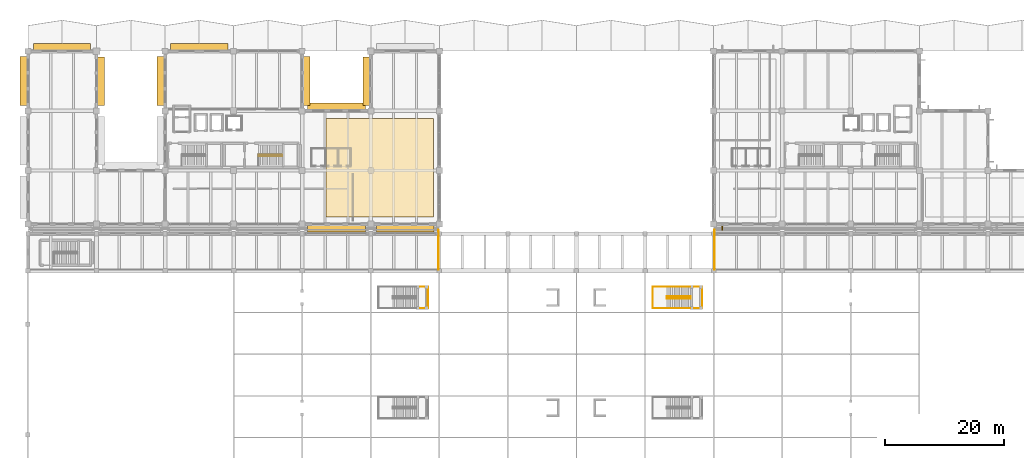
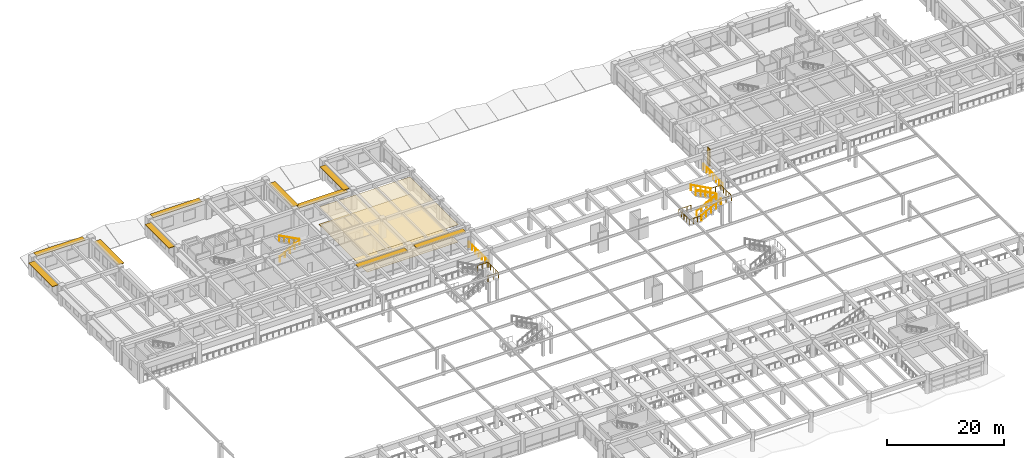
# One storey, part 94 of 98: 11 railings, 11 shading devices, 2 coverings.
"""IFC4 building model written with IfcOpenShell, lengths in metres."""

from ifc_helpers import new_model, si_unit, direction, frame, origin, origin_2d, place, context, subcontext, project, spatial, polyline, rectangle, circle, outline, extrude, material, layer, layer_set, type_object, element, save


model = new_model("IFC4")

# Units and contexts
model_context = context("Model", 3, precision=1e-05, world=origin(), true_north=direction((0.0, 1.0)))
body_context = subcontext(model_context, "Body", "Model", "MODEL_VIEW")
ifc_project = project(units=[si_unit("LENGTHUNIT", "METRE"), si_unit("AREAUNIT", "SQUARE_METRE"), si_unit("VOLUMEUNIT", "CUBIC_METRE"), si_unit("PLANEANGLEUNIT", "RADIAN"), si_unit("MASSUNIT", "GRAM", prefix="KILO")], contexts=[model_context])

# Site, building, storey
site_placement = place(None, origin())
site = spatial("IfcSite", under=ifc_project, at=site_placement, CompositionType="ELEMENT")
building_placement = place(site_placement, origin())
building = spatial("IfcBuilding", under=site, at=building_placement, Name="Ologun Quay Terminus", CompositionType="ELEMENT")
storey_placement = place(building_placement, frame((0.0, 0.0, 4.199951171875)))
storey = spatial("IfcBuildingStorey", under=building, at=storey_placement, Name="L01", CompositionType="ELEMENT", Elevation=4.199951171875)

# Railings
ifc_material_1 = material(Name="Glass", Category="glass")
railing_type_1 = type_object("IfcRailingType", Name="Concourse & Atrium Glazed Balustrade 1150", PredefinedType="BALUSTRADE", material=ifc_material_1)
for number, where, name in (
    (1, (68.85009765625, 78.14990234375, 0.0), "BL-GL Courtyard Gallery End Balustrade W L01"),
    (2, (115.14990234375, 78.14990234375, 0.0), "BL-GL Courtyard Gallery End Balustrade E L01"),
):
    element("IfcRailing", number, at=place(storey_placement, frame(where)), inside=storey, type_object=railing_type_1, Name=name, PredefinedType="BALUSTRADE", context=body_context, shape_type="SweptSolid", body=[
        extrude(circle(Radius=0.02392578125, at=origin_2d()), frame((0.0, 0.0, 1.1259765625), z_axis=(0.0, 1.0, 0.0), x_axis=(-1.0, 0.0, 0.0)), (0.0, 0.0, 1.0), 6.650146484375),
        extrude(circle(Radius=0.02099609375, at=origin_2d()), origin(), (0.0, 0.0, 1.0), 1.101806640625),
        extrude(circle(Radius=0.02099609375, at=origin_2d()), frame((0.0, 1.1083984375, 0.0)), (0.0, 0.0, 1.0), 1.101806640625),
        extrude(circle(Radius=0.02099609375, at=origin_2d()), frame((0.0, 2.216796875, 0.0)), (0.0, 0.0, 1.0), 1.101806640625),
        extrude(circle(Radius=0.02099609375, at=origin_2d()), frame((0.0, 3.3251953125, 0.0)), (0.0, 0.0, 1.0), 1.101806640625),
        extrude(circle(Radius=0.02099609375, at=origin_2d()), frame((0.0, 4.433349609375, 0.0)), (0.0, 0.0, 1.0), 1.101806640625),
        extrude(circle(Radius=0.02099609375, at=origin_2d()), frame((0.0, 5.541748046875, 0.0)), (0.0, 0.0, 1.0), 1.101806640625),
        extrude(circle(Radius=0.02099609375, at=origin_2d()), frame((0.0, 6.650146484375, 0.0)), (0.0, 0.0, 1.0), 1.101806640625),
    ])

# Shading devices
ifc_material_2 = material(Name="Aluminium 6063-T6", Category="aluminium")
ifc_layer_1 = layer(ifc_material_2, 0.10009765625)
ifc_layer_set_1 = layer_set([ifc_layer_1], Name="Aluminium 6063-T6")
shading_device_type_1 = type_object("IfcShadingDeviceType", Name="Deep Waterfront Brise-Soleil Blade 1200", PredefinedType="JALOUSIE", material=ifc_layer_set_1)
for number, where, z_axis, x_axis, name in (
    (3, (51.75, 85.070068359375, 3.530029296875), (0.0, 0.0, 1.0), (1.0, 0.0, 0.0), "SD-02 Sun-Hood WEW-WW-O-L01-5"),
    (4, (63.25, 85.070068359375, 3.530029296875), (0.0, 0.0, 1.0), (1.0, 0.0, 0.0), "SD-02 Sun-Hood WEW-WW-O-L01-6"),
):
    element("IfcShadingDevice", number, at=place(storey_placement, frame(where, z_axis=z_axis, x_axis=x_axis)), inside=storey, type_object=shading_device_type_1, Name=name, PredefinedType="JALOUSIE", context=body_context, shape_type="SweptSolid", body=[
        extrude(rectangle(XDim=9.659912109375, YDim=1.199951171875, at=origin_2d()), origin(), (0.0, 0.0, 1.0), 0.10009765625),
    ])
shading_device_1_placement = place(storey_placement, frame((56.77001953125, 109.77490234375, 3.530029296875), z_axis=(0.0, 0.0, 1.0), x_axis=(1.0, 0.0, 0.0)))
element("IfcShadingDevice", 5, at=shading_device_1_placement, inside=storey, type_object=shading_device_type_1, Name="SD-02 Sun-Hood WEW-WW-O-L01-11", PredefinedType="JALOUSIE", context=body_context, shape_type="SweptSolid", body=[
    extrude(rectangle(XDim=1.199951171875, YDim=8.110107421875, at=origin_2d()), origin(), (0.0, 0.0, 1.0), 0.10009765625),
])
shading_device_2_placement = place(storey_placement, frame((51.75, 105.530029296875, 3.530029296875), z_axis=(0.0, 0.0, 1.0), x_axis=(1.0, 0.0, 0.0)))
element("IfcShadingDevice", 6, at=shading_device_2_placement, inside=storey, type_object=shading_device_type_1, Name="SD-02 Sun-Hood WEW-WW-O-L01-12", PredefinedType="JALOUSIE", context=body_context, shape_type="SweptSolid", body=[
    extrude(rectangle(XDim=9.659912109375, YDim=1.199951171875, at=origin_2d()), origin(), (0.0, 0.0, 1.0), 0.10009765625),
])
shading_device_3_placement = place(storey_placement, frame((46.72998046875, 109.800048828125, 3.530029296875), z_axis=(0.0, 0.0, 1.0), x_axis=(1.0, 0.0, 0.0)))
element("IfcShadingDevice", 7, at=shading_device_3_placement, inside=storey, type_object=shading_device_type_1, Name="SD-02 Sun-Hood WEW-WW-O-L01-13", PredefinedType="JALOUSIE", context=body_context, shape_type="SweptSolid", body=[
    extrude(rectangle(XDim=1.199951171875, YDim=8.159912109375, at=origin_2d()), origin(), (0.0, 0.0, 1.0), 0.10009765625),
])
shading_device_4_placement = place(storey_placement, frame((28.75, 115.530029296875, 3.530029296875), z_axis=(0.0, 0.0, 1.0), x_axis=(1.0, 0.0, 0.0)))
element("IfcShadingDevice", 8, at=shading_device_4_placement, inside=storey, type_object=shading_device_type_1, Name="SD-02 Sun-Hood WEW-WW-N-L01-14", PredefinedType="JALOUSIE", context=body_context, shape_type="SweptSolid", body=[
    extrude(rectangle(XDim=9.659912109375, YDim=1.199951171875, at=origin_2d()), origin(), (0.0, 0.0, 1.0), 0.10009765625),
])
shading_device_5_placement = place(storey_placement, frame((22.27001953125, 109.800048828125, 3.530029296875), z_axis=(0.0, 0.0, 1.0), x_axis=(1.0, 0.0, 0.0)))
element("IfcShadingDevice", 9, at=shading_device_5_placement, inside=storey, type_object=shading_device_type_1, Name="SD-02 Sun-Hood WEW-WW-O-L01-17", PredefinedType="JALOUSIE", context=body_context, shape_type="SweptSolid", body=[
    extrude(rectangle(XDim=1.199951171875, YDim=8.159912109375, at=origin_2d()), origin(), (0.0, 0.0, 1.0), 0.10009765625),
])
shading_device_6_placement = place(storey_placement, frame((12.22998046875, 109.77490234375, 3.530029296875), z_axis=(0.0, 0.0, 1.0), x_axis=(1.0, 0.0, 0.0)))
element("IfcShadingDevice", 10, at=shading_device_6_placement, inside=storey, type_object=shading_device_type_1, Name="SD-02 Sun-Hood WEW-WW-O-L01-20", PredefinedType="JALOUSIE", context=body_context, shape_type="SweptSolid", body=[
    extrude(rectangle(XDim=1.199951171875, YDim=8.110107421875, at=origin_2d()), origin(), (0.0, 0.0, 1.0), 0.10009765625),
])
shading_device_7_placement = place(storey_placement, frame((5.72509765625, 115.530029296875, 3.530029296875), z_axis=(0.0, 0.0, 1.0), x_axis=(1.0, 0.0, 0.0)))
element("IfcShadingDevice", 11, at=shading_device_7_placement, inside=storey, type_object=shading_device_type_1, Name="SD-02 Sun-Hood WEW-WW-N-L01-21", PredefinedType="JALOUSIE", context=body_context, shape_type="SweptSolid", body=[
    extrude(rectangle(XDim=9.610107421875, YDim=1.199951171875, at=origin_2d()), origin(), (0.0, 0.0, 1.0), 0.10009765625),
])
shading_device_8_placement = place(storey_placement, frame((-0.72998046875, 109.800048828125, 3.530029296875), z_axis=(0.0, 0.0, 1.0), x_axis=(1.0, 0.0, 0.0)))
element("IfcShadingDevice", 12, at=shading_device_8_placement, inside=storey, type_object=shading_device_type_1, Name="SD-02 Sun-Hood WEW-WW-O-L01-24", PredefinedType="JALOUSIE", context=body_context, shape_type="SweptSolid", body=[
    extrude(rectangle(XDim=1.199951171875, YDim=8.159912109375, at=origin_2d()), origin(), (0.0, 0.0, 1.0), 0.10009765625),
])
ifc_material_3 = material(Name="Concrete C40/50", Category="concrete")
ifc_layer_2 = layer(ifc_material_3, 0.159912109375)
ifc_layer_set_2 = layer_set([ifc_layer_2], Name="Concrete C40/50")
shading_device_type_2 = type_object("IfcShadingDeviceType", Name="Operations Angled Precast Solar Fin 850x160", PredefinedType="USERDEFINED", material=ifc_layer_set_2)
shading_device_9_placement = place(storey_placement, frame((116.469970703125, 85.2451171875, 0.150146484375), z_axis=(0.0, 0.0, 1.0), x_axis=(1.0, 0.0, 0.0)))
element("IfcShadingDevice", 13, at=shading_device_9_placement, inside=storey, type_object=shading_device_type_2, Name="SD-05 Vertical Solar Fin WEW-EW-L01-1-1", ObjectType="SOLAR FIN", PredefinedType="USERDEFINED", context=body_context, shape_type="SweptSolid", body=[
    extrude(rectangle(XDim=0.159912109375, YDim=0.85009765625, at=origin_2d()), origin(), (0.0, 0.0, 1.0), 3.6298828125),
])

# Coverings
ifc_material_4 = material(Name="Aluminium 6063-T6", Category="aluminium")
ifc_layer_3 = layer(ifc_material_4, 0.034912109375)
ifc_layer_set_3 = layer_set([ifc_layer_3], Name="Aluminium 6063-T6")
covering_type_1 = type_object("IfcCoveringType", Name="Perforated Aluminium Acoustic Baffle Ceiling 35", PredefinedType="CEILING", material=ifc_layer_set_3)
covering_1_placement = place(storey_placement, frame((0.0, 0.0, 3.60009765625)))
element("IfcCovering", 14, at=covering_1_placement, inside=storey, type_object=covering_type_1, Name="CV-CL1 Acoustic Ceiling 3", PredefinedType="CEILING", context=body_context, shape_type="SweptSolid", body=[
    extrude(outline(polyline([(50.0, 87.0), (68.0, 87.0), (68.0, 103.5), (50.0, 103.5), (50.0, 87.0)])), origin(), (0.0, 0.0, 1.0), 0.034912109375),
])
ifc_material_5 = material(Name="Porcelain Tile")
ifc_layer_4 = layer(ifc_material_5, 0.02197265625)
ifc_layer_set_4 = layer_set([ifc_layer_4], Name="Porcelain Tile")
covering_type_2 = type_object("IfcCoveringType", Name="Porcelain Tile Pavilion & Sanitary Flooring 22", PredefinedType="FLOORING", material=ifc_layer_set_4)
covering_2_placement = place(storey_placement, origin())
element("IfcCovering", 15, at=covering_2_placement, inside=storey, type_object=covering_type_2, Name="CV-FL2 Interior Flooring 4", PredefinedType="FLOORING", context=body_context, shape_type="SweptSolid", body=[
    extrude(outline(polyline([(50.0, 87.0), (68.0, 87.0), (68.0, 103.5), (50.0, 103.5), (50.0, 87.0)])), origin(), (0.0, 0.0, 1.0), 0.02197265625),
])

# Railings
ifc_material_6 = material(Name="Steel S355", Category="steel")
railing_type_2 = type_object("IfcRailingType", Name="Stair & Landing Steel Guardrail 1100", PredefinedType="GUARDRAIL", material=ifc_material_6)
railing_1_placement = place(storey_placement, frame((38.699951171875, 97.25, 0.0)))
element("IfcRailing", 16, at=railing_1_placement, inside=storey, type_object=railing_type_2, Name="GR-ST Stair Inner Well Guard ST-W2 L01", PredefinedType="GUARDRAIL", context=body_context, shape_type="SweptSolid", body=[
    extrude(circle(Radius=0.02392578125, at=origin_2d()), frame((0.0, 0.0, 1.076171875), z_axis=(0.881967403671, 0.0, 0.471310406062), x_axis=(0.0, 1.0, 0.0)), (0.0, 0.0, 1.0), 4.455810546875),
    extrude(circle(Radius=0.02392578125, at=origin_2d()), frame((3.929931640625, 0.0, 3.17626953125), z_axis=(0.0, 1.0, 0.0), x_axis=(-1.0, 0.0, 0.0)), (0.0, 0.0, 1.0), 0.199951171875),
    extrude(circle(Radius=0.02392578125, at=origin_2d()), frame((3.929931640625, 0.199951171875, 3.17626953125), z_axis=(-0.881990178689, 0.0, 0.471267784488), x_axis=(0.0, -1.0, 0.0)), (0.0, 0.0, 1.0), 4.455810546875),
    extrude(circle(Radius=0.02099609375, at=origin_2d()), origin(), (0.0, 0.0, 1.0), 1.052001953125),
    extrude(circle(Radius=0.02099609375, at=origin_2d()), frame((0.982421875, 0.0, 0.52490234375)), (0.0, 0.0, 1.0), 1.052001953125),
    extrude(circle(Radius=0.02099609375, at=origin_2d()), frame((1.96484375, 0.0, 1.050048828125)), (0.0, 0.0, 1.0), 1.052001953125),
    extrude(circle(Radius=0.02099609375, at=origin_2d()), frame((2.947509765625, 0.0, 1.5751953125)), (0.0, 0.0, 1.0), 1.052001953125),
    extrude(circle(Radius=0.02099609375, at=origin_2d()), frame((3.929931640625, 0.0, 2.10009765625)), (0.0, 0.0, 1.0), 1.052001953125),
    extrude(circle(Radius=0.02099609375, at=origin_2d()), frame((3.929931640625, 0.199951171875, 2.10009765625)), (0.0, 0.0, 1.0), 1.052001953125),
    extrude(circle(Radius=0.02099609375, at=origin_2d()), frame((2.947509765625, 0.199951171875, 2.625)), (0.0, 0.0, 1.0), 1.052001953125),
    extrude(circle(Radius=0.02099609375, at=origin_2d()), frame((1.96484375, 0.199951171875, 3.14990234375)), (0.0, 0.0, 1.0), 1.052001953125),
    extrude(circle(Radius=0.02099609375, at=origin_2d()), frame((0.982421875, 0.199951171875, 3.675048828125)), (0.0, 0.0, 1.0), 1.052001953125),
    extrude(circle(Radius=0.02099609375, at=origin_2d()), frame((0.0, 0.199951171875, 4.199951171875)), (0.0, 0.0, 1.0), 1.052001953125),
])
railing_2_placement = place(storey_placement, frame((107.199951171875, 73.35009765625, 0.0)))
element("IfcRailing", 17, at=railing_2_placement, inside=storey, type_object=railing_type_2, Name="GR-ST Stair Inner Well Guard ST-P4U L01", PredefinedType="GUARDRAIL", context=body_context, shape_type="SweptSolid", body=[
    extrude(circle(Radius=0.02392578125, at=origin_2d()), frame((0.0, 0.0, 1.076171875), z_axis=(0.881967403671, 0.0, 0.471310406062), x_axis=(0.0, 1.0, 0.0)), (0.0, 0.0, 1.0), 4.455810546875),
    extrude(circle(Radius=0.02392578125, at=origin_2d()), frame((3.929931640625, 0.0, 3.17626953125), z_axis=(0.0, 1.0, 0.0), x_axis=(-1.0, 0.0, 0.0)), (0.0, 0.0, 1.0), 0.2998046875),
    extrude(circle(Radius=0.02392578125, at=origin_2d()), frame((3.929931640625, 0.2998046875, 3.17626953125), z_axis=(-0.881990178689, 0.0, 0.471267784488), x_axis=(0.0, -1.0, 0.0)), (0.0, 0.0, 1.0), 4.455810546875),
    extrude(circle(Radius=0.02099609375, at=origin_2d()), origin(), (0.0, 0.0, 1.0), 1.052001953125),
    extrude(circle(Radius=0.02099609375, at=origin_2d()), frame((0.982421875, 0.0, 0.52490234375)), (0.0, 0.0, 1.0), 1.052001953125),
    extrude(circle(Radius=0.02099609375, at=origin_2d()), frame((1.96484375, 0.0, 1.050048828125)), (0.0, 0.0, 1.0), 1.052001953125),
    extrude(circle(Radius=0.02099609375, at=origin_2d()), frame((2.947509765625, 0.0, 1.5751953125)), (0.0, 0.0, 1.0), 1.052001953125),
    extrude(circle(Radius=0.02099609375, at=origin_2d()), frame((3.929931640625, 0.0, 2.10009765625)), (0.0, 0.0, 1.0), 1.052001953125),
    extrude(circle(Radius=0.02099609375, at=origin_2d()), frame((3.929931640625, 0.2998046875, 2.10009765625)), (0.0, 0.0, 1.0), 1.052001953125),
    extrude(circle(Radius=0.02099609375, at=origin_2d()), frame((2.947509765625, 0.2998046875, 2.625)), (0.0, 0.0, 1.0), 1.052001953125),
    extrude(circle(Radius=0.02099609375, at=origin_2d()), frame((1.96484375, 0.2998046875, 3.14990234375)), (0.0, 0.0, 1.0), 1.052001953125),
    extrude(circle(Radius=0.02099609375, at=origin_2d()), frame((0.982421875, 0.2998046875, 3.675048828125)), (0.0, 0.0, 1.0), 1.052001953125),
    extrude(circle(Radius=0.02099609375, at=origin_2d()), frame((0.0, 0.2998046875, 4.199951171875)), (0.0, 0.0, 1.0), 1.052001953125),
])
railing_3_placement = place(storey_placement, frame((107.219970703125, 71.699951171875, 0.0)))
element("IfcRailing", 18, at=railing_3_placement, inside=storey, type_object=railing_type_2, Name="GR-ST Platform Transfer Bridge Guard ST-P4 L01", PredefinedType="GUARDRAIL", context=body_context, shape_type="SweptSolid", body=[
    extrude(circle(Radius=0.02392578125, at=origin_2d()), frame((0.0, 0.0, 1.076171875), z_axis=(-1.0, 0.0, 0.0), x_axis=(0.0, -1.0, 0.0)), (0.0, 0.0, 1.0), 2.419921875),
    extrude(circle(Radius=0.02392578125, at=origin_2d()), frame((-2.419921875, 0.0, 1.076171875), z_axis=(0.0, 1.0, 0.0), x_axis=(-1.0, 0.0, 0.0)), (0.0, 0.0, 1.0), 3.60009765625),
    extrude(circle(Radius=0.02392578125, at=origin_2d()), frame((-2.419921875, 3.60009765625, 1.076171875), z_axis=(1.0, 0.0, 0.0), x_axis=(0.0, 1.0, 0.0)), (0.0, 0.0, 1.0), 2.419921875),
    extrude(circle(Radius=0.02099609375, at=origin_2d()), origin(), (0.0, 0.0, 1.0), 1.052001953125),
    extrude(circle(Radius=0.02099609375, at=origin_2d()), frame((-0.806640625, 0.0, 0.0)), (0.0, 0.0, 1.0), 1.052001953125),
    extrude(circle(Radius=0.02099609375, at=origin_2d()), frame((-1.61328125, 0.0, 0.0)), (0.0, 0.0, 1.0), 1.052001953125),
    extrude(circle(Radius=0.02099609375, at=origin_2d()), frame((-2.419921875, 0.0, 0.0)), (0.0, 0.0, 1.0), 1.052001953125),
    extrude(circle(Radius=0.02099609375, at=origin_2d()), frame((-2.419921875, 0.89990234375, 0.0)), (0.0, 0.0, 1.0), 1.052001953125),
    extrude(circle(Radius=0.02099609375, at=origin_2d()), frame((-2.419921875, 1.800048828125, 0.0)), (0.0, 0.0, 1.0), 1.052001953125),
    extrude(circle(Radius=0.02099609375, at=origin_2d()), frame((-2.419921875, 2.7001953125, 0.0)), (0.0, 0.0, 1.0), 1.052001953125),
    extrude(circle(Radius=0.02099609375, at=origin_2d()), frame((-2.419921875, 3.60009765625, 0.0)), (0.0, 0.0, 1.0), 1.052001953125),
    extrude(circle(Radius=0.02099609375, at=origin_2d()), frame((-1.61328125, 3.60009765625, 0.0)), (0.0, 0.0, 1.0), 1.052001953125),
    extrude(circle(Radius=0.02099609375, at=origin_2d()), frame((-0.806640625, 3.60009765625, 0.0)), (0.0, 0.0, 1.0), 1.052001953125),
    extrude(circle(Radius=0.02099609375, at=origin_2d()), frame((0.0, 3.60009765625, 0.0)), (0.0, 0.0, 1.0), 1.052001953125),
])
ifc_material_7 = material(Name="Steel S355", Category="steel")
railing_type_3 = type_object("IfcRailingType", Name="Stair Stainless Tubular Handrail 920", PredefinedType="HANDRAIL", material=ifc_material_7)
railing_4_placement = place(storey_placement, frame((107.199951171875, 73.340087890625, 0.150146484375)))
element("IfcRailing", 19, at=railing_4_placement, inside=storey, type_object=railing_type_3, Name="HR-ST Handrail ST-P4U-F1 L01", PredefinedType="HANDRAIL", context=body_context, shape_type="SweptSolid", body=[
    extrude(circle(Radius=0.02392578125, at=origin_2d()), frame((0.0, 0.0, 0.89599609375), z_axis=(0.894438388696, 0.0, 0.447191199406), x_axis=(0.0, 1.0, 0.0)), (0.0, 0.0, 1.0), 4.3603515625),
    extrude(circle(Radius=0.02099609375, at=origin_2d()), origin(), (0.0, 0.0, 1.0), 0.871826171875),
    extrude(circle(Radius=0.02099609375, at=origin_2d()), frame((0.97509765625, 0.0, 0.487548828125)), (0.0, 0.0, 1.0), 0.871826171875),
    extrude(circle(Radius=0.02099609375, at=origin_2d()), frame((1.9501953125, 0.0, 0.97509765625)), (0.0, 0.0, 1.0), 0.871826171875),
    extrude(circle(Radius=0.02099609375, at=origin_2d()), frame((2.925048828125, 0.0, 1.46240234375)), (0.0, 0.0, 1.0), 0.871826171875),
    extrude(circle(Radius=0.02099609375, at=origin_2d()), frame((3.900146484375, 0.0, 1.949951171875)), (0.0, 0.0, 1.0), 0.871826171875),
])
railing_5_placement = place(storey_placement, frame((111.10009765625, 73.659912109375, 2.25)))
element("IfcRailing", 20, at=railing_5_placement, inside=storey, type_object=railing_type_3, Name="HR-ST Handrail ST-P4U-F2 L01", PredefinedType="HANDRAIL", context=body_context, shape_type="SweptSolid", body=[
    extrude(circle(Radius=0.02392578125, at=origin_2d()), frame((0.0, 0.0, 0.89599609375), z_axis=(-0.894438388696, 0.0, 0.447191199406), x_axis=(0.0, -1.0, 0.0)), (0.0, 0.0, 1.0), 4.3603515625),
    extrude(circle(Radius=0.02099609375, at=origin_2d()), origin(), (0.0, 0.0, 1.0), 0.871826171875),
    extrude(circle(Radius=0.02099609375, at=origin_2d()), frame((-0.97509765625, 0.0, 0.487548828125)), (0.0, 0.0, 1.0), 0.871826171875),
    extrude(circle(Radius=0.02099609375, at=origin_2d()), frame((-1.9501953125, 0.0, 0.97509765625)), (0.0, 0.0, 1.0), 0.871826171875),
    extrude(circle(Radius=0.02099609375, at=origin_2d()), frame((-2.925048828125, 0.0, 1.46240234375)), (0.0, 0.0, 1.0), 0.871826171875),
    extrude(circle(Radius=0.02099609375, at=origin_2d()), frame((-3.900146484375, 0.0, 1.949951171875)), (0.0, 0.0, 1.0), 0.871826171875),
])
ifc_material_8 = material(Name="Steel S355", Category="steel")
railing_type_4 = type_object("IfcRailingType", Name="Terrace & Quay Perimeter Guardrail 1150", PredefinedType="GUARDRAIL", material=ifc_material_8)
for number, where, name in (
    (21, (65.030029296875, 71.699951171875, 2.10009765625), "GR-TR Open Stair Half-Landing Guard ST-P3U L01"),
    (22, (111.030029296875, 71.699951171875, 2.10009765625), "GR-TR Open Stair Half-Landing Guard ST-P4U L01"),
):
    element("IfcRailing", number, at=place(storey_placement, frame(where)), inside=storey, type_object=railing_type_4, Name=name, PredefinedType="GUARDRAIL", context=body_context, shape_type="SweptSolid", body=[
        extrude(circle(Radius=0.02392578125, at=origin_2d()), frame((0.0, 0.0, 1.1259765625), z_axis=(1.0, 0.0, 0.0), x_axis=(0.0, 1.0, 0.0)), (0.0, 0.0, 1.0), 2.080078125),
        extrude(circle(Radius=0.02392578125, at=origin_2d()), frame((2.080078125, 0.0, 1.1259765625), z_axis=(0.0, 1.0, 0.0), x_axis=(-1.0, 0.0, 0.0)), (0.0, 0.0, 1.0), 3.60009765625),
        extrude(circle(Radius=0.02392578125, at=origin_2d()), frame((2.080078125, 3.60009765625, 1.1259765625), z_axis=(-1.0, 0.0, 0.0), x_axis=(0.0, -1.0, 0.0)), (0.0, 0.0, 1.0), 2.080078125),
        extrude(circle(Radius=0.02099609375, at=origin_2d()), origin(), (0.0, 0.0, 1.0), 1.101806640625),
        extrude(circle(Radius=0.02099609375, at=origin_2d()), frame((1.0400390625, 0.0, 0.0)), (0.0, 0.0, 1.0), 1.101806640625),
        extrude(circle(Radius=0.02099609375, at=origin_2d()), frame((2.080078125, 0.0, 0.0)), (0.0, 0.0, 1.0), 1.101806640625),
        extrude(circle(Radius=0.02099609375, at=origin_2d()), frame((2.080078125, 0.89990234375, 0.0)), (0.0, 0.0, 1.0), 1.101806640625),
        extrude(circle(Radius=0.02099609375, at=origin_2d()), frame((2.080078125, 1.800048828125, 0.0)), (0.0, 0.0, 1.0), 1.101806640625),
        extrude(circle(Radius=0.02099609375, at=origin_2d()), frame((2.080078125, 2.7001953125, 0.0)), (0.0, 0.0, 1.0), 1.101806640625),
        extrude(circle(Radius=0.02099609375, at=origin_2d()), frame((2.080078125, 3.60009765625, 0.0)), (0.0, 0.0, 1.0), 1.101806640625),
        extrude(circle(Radius=0.02099609375, at=origin_2d()), frame((1.0400390625, 3.60009765625, 0.0)), (0.0, 0.0, 1.0), 1.101806640625),
        extrude(circle(Radius=0.02099609375, at=origin_2d()), frame((0.0, 3.60009765625, 0.0)), (0.0, 0.0, 1.0), 1.101806640625),
    ])
railing_6_placement = place(storey_placement, frame((107.199951171875, 71.699951171875, 0.0)))
element("IfcRailing", 23, at=railing_6_placement, inside=storey, type_object=railing_type_4, Name="GR-TR Open Flight Outer Guard ST-P4U-S L01", PredefinedType="GUARDRAIL", context=body_context, shape_type="SweptSolid", body=[
    extrude(circle(Radius=0.02392578125, at=origin_2d()), frame((0.0, 0.0, 1.1259765625), z_axis=(0.878931799495, 0.0, 0.476947472827), x_axis=(0.0, 1.0, 0.0)), (0.0, 0.0, 1.0), 4.4033203125),
    extrude(circle(Radius=0.02099609375, at=origin_2d()), origin(), (0.0, 0.0, 1.0), 1.101806640625),
    extrude(circle(Radius=0.02099609375, at=origin_2d()), frame((0.967529296875, 0.0, 0.52490234375)), (0.0, 0.0, 1.0), 1.101806640625),
    extrude(circle(Radius=0.02099609375, at=origin_2d()), frame((1.93505859375, 0.0, 1.050048828125)), (0.0, 0.0, 1.0), 1.101806640625),
    extrude(circle(Radius=0.02099609375, at=origin_2d()), frame((2.902587890625, 0.0, 1.5751953125)), (0.0, 0.0, 1.0), 1.101806640625),
    extrude(circle(Radius=0.02099609375, at=origin_2d()), frame((3.8701171875, 0.0, 2.10009765625)), (0.0, 0.0, 1.0), 1.101806640625),
])
railing_7_placement = place(storey_placement, frame((107.199951171875, 75.300048828125, 4.199951171875)))
element("IfcRailing", 24, at=railing_7_placement, inside=storey, type_object=railing_type_4, Name="GR-TR Open Flight Outer Guard ST-P4U-N L01", PredefinedType="GUARDRAIL", context=body_context, shape_type="SweptSolid", body=[
    extrude(circle(Radius=0.02392578125, at=origin_2d()), frame((0.0, 0.0, 1.1259765625), z_axis=(0.878955042315, 0.0, -0.476904637835), x_axis=(0.0, 1.0, 0.0)), (0.0, 0.0, 1.0), 4.403076171875),
    extrude(circle(Radius=0.02099609375, at=origin_2d()), origin(), (0.0, 0.0, 1.0), 1.101806640625),
    extrude(circle(Radius=0.02099609375, at=origin_2d()), frame((0.967529296875, 0.0, -0.52490234375)), (0.0, 0.0, 1.0), 1.101806640625),
    extrude(circle(Radius=0.02099609375, at=origin_2d()), frame((1.93505859375, 0.0, -1.0498046875)), (0.0, 0.0, 1.0), 1.101806640625),
    extrude(circle(Radius=0.02099609375, at=origin_2d()), frame((2.902587890625, 0.0, -1.574951171875)), (0.0, 0.0, 1.0), 1.101806640625),
    extrude(circle(Radius=0.02099609375, at=origin_2d()), frame((3.8701171875, 0.0, -2.099853515625)), (0.0, 0.0, 1.0), 1.101806640625),
])

save(model, "model.ifc")
